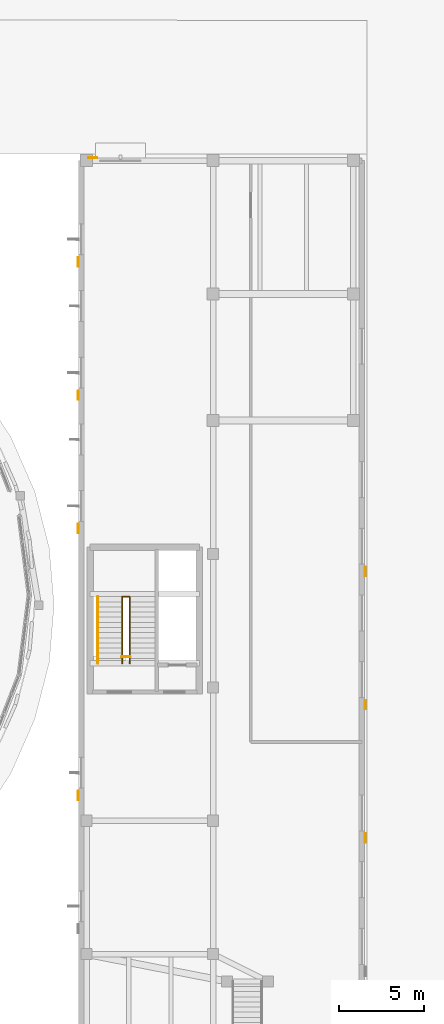
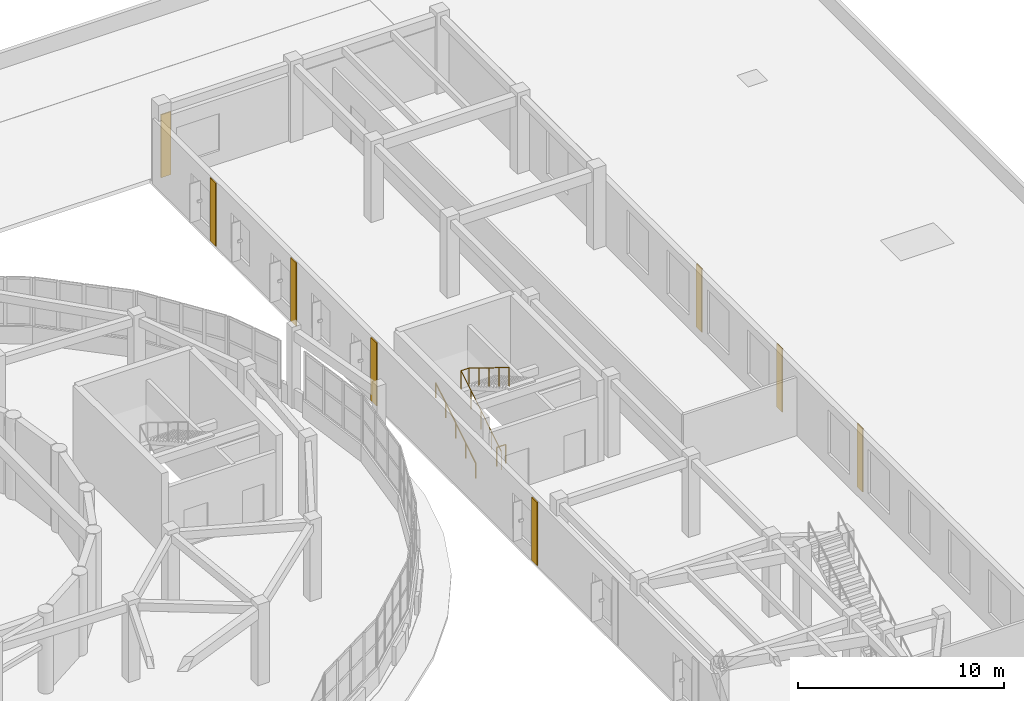
# One storey, part 105 of 105: 8 coverings, 3 railings.
"""IFC4 building model written with IfcOpenShell, lengths in metres."""

import ifcopenshell
import ifcopenshell.guid

model = None  # the IFC model being written
_history = None  # IfcOwnerHistory: only IFC2X3 demands one
_inside = {}  # id of a spatial element -> (the spatial element, [elements in it])
_under = {}  # id of a project, library or spatial element -> (it, [spatial elements below it])
_declared = {}  # id of a project -> (the project, [libraries it declares])
_typed = {}  # id of a type object -> (the type object, [elements of that type])
_made_of = {}  # id of a material, layer set ... -> (it, [elements and type objects made of it])


def new_model(schema):
    """Start an empty IFC model of exactly this schema.

    Asked for "IFC4X3", IfcOpenShell would pick the latest addendum, in which some entities
    have other attributes; the version numbers below select the first issue.
    IFC2X3 requires an IfcOwnerHistory on every rooted entity: one is made here for all.
    """
    global model, _history
    if schema == "IFC4X3":
        model = ifcopenshell.file(schema_version=(4, 3, 0, 0))
    else:
        model = ifcopenshell.file(schema=schema)
    _inside.clear()
    _under.clear()
    _declared.clear()
    _typed.clear()
    _made_of.clear()
    _history = None
    if model.schema == "IFC2X3":
        org = make("IfcOrganization", Name="unknown")
        user = make(
            "IfcPersonAndOrganization",
            ThePerson=make("IfcPerson", FamilyName="unknown"),
            TheOrganization=org,
        )
        app = make(
            "IfcApplication",
            ApplicationDeveloper=org,
            Version="unknown",
            ApplicationFullName="unknown",
            ApplicationIdentifier="unknown",
        )
        _history = make(
            "IfcOwnerHistory",
            OwningUser=user,
            OwningApplication=app,
            ChangeAction="ADDED",
            CreationDate=0,
        )
    return model


def make(cls, **values):
    """One entity of the class cls with the attributes given. An attribute that is None is left unset."""
    return model.create_entity(
        cls, **{name: value for name, value in values.items() if value is not None}
    )


def rooted(cls, **values):
    """An entity with a GlobalId (a new one), such as an element, a storey or a relation."""
    return make(cls, GlobalId=ifcopenshell.guid.new(), OwnerHistory=_history, **values)


def si_unit(unit_type, name, prefix=None):
    """IfcSIUnit, for example si_unit("LENGTHUNIT", "METRE", prefix="MILLI")."""
    return make("IfcSIUnit", UnitType=unit_type, Prefix=prefix, Name=name)


def assignment(units):
    """IfcUnitAssignment: the units of a project."""
    return None if units is None else make("IfcUnitAssignment", Units=units)


def point(xyz):
    """IfcCartesianPoint."""
    return None if xyz is None else make("IfcCartesianPoint", Coordinates=xyz)


def direction(xyz):
    """IfcDirection."""
    return None if xyz is None else make("IfcDirection", DirectionRatios=xyz)


def frame(location, z_axis=None, x_axis=None):
    """IfcAxis2Placement3D, a coordinate frame: its origin and axes. An axis left out is left unset."""
    return make(
        "IfcAxis2Placement3D",
        Location=point(location),
        Axis=direction(z_axis),
        RefDirection=direction(x_axis),
    )


def frame_2d(location, x_axis=None):
    """IfcAxis2Placement2D, a coordinate frame in the plane: its origin and x axis."""
    return make(
        "IfcAxis2Placement2D", Location=point(location), RefDirection=direction(x_axis)
    )


def origin():
    """The frame at (0, 0, 0) with its axes left unset."""
    return frame((0.0, 0.0, 0.0))


def origin_2d():
    """The frame at (0, 0) in the plane with its x axis left unset."""
    return frame_2d((0.0, 0.0))


def place(relative_to, where):
    """IfcLocalPlacement: puts the frame where relative to a parent placement (None: the world)."""
    return make(
        "IfcLocalPlacement", PlacementRelTo=relative_to, RelativePlacement=where
    )


def context(
    kind, dimensions, precision=None, world=None, true_north=None, identifier=None
):
    """IfcGeometricRepresentationContext, for example the 3D "Model" context."""
    return make(
        "IfcGeometricRepresentationContext",
        ContextIdentifier=identifier,
        ContextType=kind,
        CoordinateSpaceDimension=dimensions,
        Precision=precision,
        WorldCoordinateSystem=world,
        TrueNorth=true_north,
    )


def subcontext(parent, identifier, kind, view, scale=None):
    """IfcGeometricRepresentationSubContext, for example "Body" below "Model"."""
    return make(
        "IfcGeometricRepresentationSubContext",
        ContextIdentifier=identifier,
        ContextType=kind,
        ParentContext=parent,
        TargetScale=scale,
        TargetView=view,
    )


def project(units=None, contexts=None):
    """IfcProject with its units and contexts."""
    return rooted(
        "IfcProject",
        Name="project",
        RepresentationContexts=contexts,
        UnitsInContext=assignment(units),
    )


def spatial(cls, under=None, at=None, **own):
    """A site, building, storey or space (cls), placed at a placement, below another one or the project."""
    s = rooted(cls, ObjectPlacement=at, **own)
    if under is not None:
        _under.setdefault(under.id(), (under, []))[1].append(s)
    return s


def profile(cls, at=None, kind="AREA", **sizes):
    """A parametric profile (cls). Its sizes go by their IFC names, for example OverallWidth=200.0."""
    return make(cls, ProfileType=kind, Position=at, **sizes)


def rectangle(**sizes):
    """IfcRectangleProfileDef."""
    return profile("IfcRectangleProfileDef", **sizes)


def circle(**sizes):
    """IfcCircleProfileDef."""
    return profile("IfcCircleProfileDef", **sizes)


def extrude(swept, where, along, depth):
    """IfcExtrudedAreaSolid: the profile swept, set in the frame where, extruded along a direction by depth."""
    return make(
        "IfcExtrudedAreaSolid",
        SweptArea=swept,
        Position=where,
        ExtrudedDirection=direction(along),
        Depth=depth,
    )


def shape(context_of_items, identifier, shape_type, items):
    """IfcShapeRepresentation: the items that make up one representation, for example the "Body"."""
    return make(
        "IfcShapeRepresentation",
        ContextOfItems=context_of_items,
        RepresentationIdentifier=identifier,
        RepresentationType=shape_type,
        Items=items,
    )


def material(Name=None, Category=None):
    """IfcMaterial."""
    return make("IfcMaterial", Name=Name, Category=Category)


def layer(
    of_material, thickness, ventilated=None, Name=None, Category=None, Priority=None
):
    """IfcMaterialLayer: one layer of a wall or slab, of a material (None: an air gap)."""
    return make(
        "IfcMaterialLayer",
        Material=of_material,
        LayerThickness=thickness,
        IsVentilated=ventilated,
        Name=Name,
        Category=Category,
        Priority=Priority,
    )


def layer_set(layers, Name=None):
    """IfcMaterialLayerSet."""
    return make("IfcMaterialLayerSet", MaterialLayers=layers, LayerSetName=Name)


def made_of(thing, what):
    """Note that an element or type object is made of a material, layer set ...; save() writes the relation."""
    if what is not None:
        _made_of.setdefault(what.id(), (what, []))[1].append(thing)
    return thing


def type_object(cls, material=None, **own):
    """A type object (cls), such as IfcWallType, which elements share."""
    return made_of(rooted(cls, **own), material)


def element(
    cls,
    number,
    at=None,
    inside=None,
    cuts=None,
    type_object=None,
    material=None,
    context=None,
    identifier="Body",
    shape_type=None,
    held_by="IfcProductDefinitionShape",
    body=None,
    shapes=None,
    **own,
):
    """One element of the class cls, such as IfcWall. Its Tag is "e" and its number.

    at: its placement. inside: the storey or other place that contains it. cuts: it is an
    opening in that element (IfcRelVoidsElement). A single representation is given by context,
    identifier, shape_type and body (its items); several are given by shapes. held_by: the class
    of the entity that holds the representations. save() writes the other relations.
    """
    e = rooted(cls, Tag="e%d" % number, ObjectPlacement=at, **own)
    if body is not None:
        shapes = [shape(context, identifier, shape_type, body)]
    if shapes is not None:
        e.Representation = make(held_by, Representations=shapes)
    if inside is not None:
        _inside.setdefault(inside.id(), (inside, []))[1].append(e)
    if cuts is not None:
        rooted(
            "IfcRelVoidsElement", RelatingBuildingElement=cuts, RelatedOpeningElement=e
        )
    if type_object is not None:
        _typed.setdefault(type_object.id(), (type_object, []))[1].append(e)
    return made_of(e, material)


def aggregate(whole, parts):
    """IfcRelAggregates: a whole, such as a stair, and the parts it consists of."""
    return rooted("IfcRelAggregates", RelatingObject=whole, RelatedObjects=parts)


def save(model, path):
    """Write the relations noted so far, then the file.

    IfcRelAggregates (storeys below a building ...), IfcRelContainedInSpatialStructure (elements
    in a storey), IfcRelDefinesByType, IfcRelAssociatesMaterial and IfcRelDeclares: one each for
    every whole, place, type object, material and project.
    """
    for whole, parts in _under.values():
        aggregate(whole, parts)
    for where, things in _inside.values():
        rooted(
            "IfcRelContainedInSpatialStructure",
            RelatedElements=things,
            RelatingStructure=where,
        )
    for kind, things in _typed.values():
        rooted("IfcRelDefinesByType", RelatedObjects=things, RelatingType=kind)
    for what, things in _made_of.values():
        rooted("IfcRelAssociatesMaterial", RelatedObjects=things, RelatingMaterial=what)
    for by, libraries in _declared.values():
        rooted("IfcRelDeclares", RelatingContext=by, RelatedDefinitions=libraries)
    model.write(path)


model = new_model("IFC4")

# Units and contexts
model_context = context("Model", 3, precision=1e-05, world=origin(), true_north=direction((0.0, 1.0)))
body_context = subcontext(model_context, "Body", "Model", "MODEL_VIEW")
ifc_project = project(units=[si_unit("LENGTHUNIT", "METRE"), si_unit("AREAUNIT", "SQUARE_METRE"), si_unit("VOLUMEUNIT", "CUBIC_METRE"), si_unit("PLANEANGLEUNIT", "RADIAN"), si_unit("MASSUNIT", "GRAM", prefix="KILO")], contexts=[model_context])

# Site, building, storey
site_placement = place(None, origin())
site = spatial("IfcSite", under=ifc_project, at=site_placement, CompositionType="ELEMENT")
building_placement = place(site_placement, origin())
building = spatial("IfcBuilding", under=site, at=building_placement, Name="Pelvatis Terrace Science Centre", CompositionType="ELEMENT")
storey_placement = place(building_placement, frame((0.0, 0.0, 10.199951171875)))
storey = spatial("IfcBuildingStorey", under=building, at=storey_placement, Name="L02", CompositionType="ELEMENT", Elevation=10.199951171875)

# Coverings
ifc_material_1 = material(Name="Fluted warm stone-aggregate precast facade relief panel", Category="masonry")
ifc_layer = layer(ifc_material_1, 0.054931640625)
ifc_layer_set = layer_set([ifc_layer], Name="Fluted warm stone-aggregate precast facade relief panel")
covering_type = type_object("IfcCoveringType", Name="COV-CLAD-PREC-55", PredefinedType="CLADDING", material=ifc_layer_set)
for number, where, z_axis, x_axis, name in (
    (1, (157.08740234375, 69.179931640625, 0.06005859375), (0.0, 0.0, 1.0), (1.0, 0.0, 0.0), "Classical fluted stone pilaster strip 48"),
    (2, (157.08740234375, 76.97998046875, 0.06005859375), (0.0, 0.0, 1.0), (1.0, 0.0, 0.0), "Classical fluted stone pilaster strip 49"),
    (3, (157.08740234375, 84.780029296875, 0.06005859375), (0.0, 0.0, 1.0), (1.0, 0.0, 0.0), "Classical fluted stone pilaster strip 50"),
):
    element("IfcCovering", number, at=place(storey_placement, frame(where, z_axis=z_axis, x_axis=x_axis)), inside=storey, type_object=covering_type, Name=name, PredefinedType="CLADDING", context=body_context, shape_type="SweptSolid", body=[
        extrude(rectangle(XDim=0.054931640625, YDim=0.550048828125, at=origin_2d()), origin(), (0.0, 0.0, 1.0), 3.739990234375),
    ])
covering_placement = place(storey_placement, frame((141.159912109375, 108.97998046875, 0.06005859375), z_axis=(0.0, 0.0, 1.0), x_axis=(1.0, 0.0, 0.0)))
element("IfcCovering", 4, at=covering_placement, inside=storey, type_object=covering_type, Name="Classical fluted stone pilaster strip 51", PredefinedType="CLADDING", context=body_context, shape_type="SweptSolid", body=[
    extrude(rectangle(XDim=0.550048828125, YDim=0.054931640625, at=origin_2d()), origin(), (0.0, 0.0, 1.0), 3.739990234375),
])
for number, where, z_axis, x_axis, name in (
    (5, (140.300048828125, 71.679931640625, 0.06005859375), (0.0, 0.0, 1.0), (1.0, 0.0, 0.0), "Classical fluted stone pilaster strip 55"),
    (6, (140.300048828125, 87.280029296875, 0.06005859375), (0.0, 0.0, 1.0), (1.0, 0.0, 0.0), "Classical fluted stone pilaster strip 56"),
    (7, (140.300048828125, 95.080078125, 0.06005859375), (0.0, 0.0, 1.0), (1.0, 0.0, 0.0), "Classical fluted stone pilaster strip 57"),
    (8, (140.300048828125, 102.8798828125, 0.06005859375), (0.0, 0.0, 1.0), (1.0, 0.0, 0.0), "Classical fluted stone pilaster strip 58"),
):
    element("IfcCovering", number, at=place(storey_placement, frame(where, z_axis=z_axis, x_axis=x_axis)), inside=storey, type_object=covering_type, Name=name, PredefinedType="CLADDING", context=body_context, shape_type="SweptSolid", body=[
        extrude(rectangle(XDim=0.054931640625, YDim=0.550048828125, at=origin_2d()), origin(), (0.0, 0.0, 1.0), 3.739990234375),
    ])

# Railings
ifc_material_2 = material(Name="Brushed architectural bronze tubular railing", Category="steel")
railing_type_1 = type_object("IfcRailingType", Name="RLG-GRD-1120", PredefinedType="GUARDRAIL", material=ifc_material_2)
railing_1_placement = place(storey_placement, frame((142.8798828125, 79.39990234375, 0.0)))
element("IfcRailing", 9, at=railing_1_placement, inside=storey, type_object=railing_type_1, Name="Stair ST-03-L02 inner well guardrail", PredefinedType="GUARDRAIL", context=body_context, shape_type="SweptSolid", body=[
    extrude(circle(Radius=0.02392578125, at=origin_2d()), frame((0.0, 0.0, 1.09619140625), z_axis=(0.0, 0.851652825334, 0.524106349037), x_axis=(-1.0, 0.0, 0.0)), (0.0, 0.0, 1.0), 4.57958984375),
    extrude(circle(Radius=0.02392578125, at=origin_2d()), frame((0.0, 3.900146484375, 3.49609375), z_axis=(1.0, 0.0, 0.0), x_axis=(0.0, 1.0, 0.0)), (0.0, 0.0, 1.0), 0.440185546875),
    extrude(circle(Radius=0.02392578125, at=origin_2d()), frame((0.440185546875, 3.900146484375, 3.49609375), z_axis=(0.0, -0.851676621109, 0.524067679844), x_axis=(1.0, 0.0, 0.0)), (0.0, 0.0, 1.0), 4.579345703125),
    extrude(circle(Radius=0.02099609375, at=origin_2d()), origin(), (0.0, 0.0, 1.0), 1.072021484375),
    extrude(circle(Radius=0.02099609375, at=origin_2d()), frame((0.0, 0.97509765625, 0.60009765625)), (0.0, 0.0, 1.0), 1.072021484375),
    extrude(circle(Radius=0.02099609375, at=origin_2d()), frame((0.0, 1.9501953125, 1.2001953125)), (0.0, 0.0, 1.0), 1.072021484375),
    extrude(circle(Radius=0.02099609375, at=origin_2d()), frame((0.0, 2.925048828125, 1.800048828125)), (0.0, 0.0, 1.0), 1.072021484375),
    extrude(circle(Radius=0.02099609375, at=origin_2d()), frame((0.0, 3.900146484375, 2.400146484375)), (0.0, 0.0, 1.0), 1.072021484375),
    extrude(circle(Radius=0.02099609375, at=origin_2d()), frame((0.440185546875, 3.900146484375, 2.400146484375)), (0.0, 0.0, 1.0), 1.072021484375),
    extrude(circle(Radius=0.02099609375, at=origin_2d()), frame((0.440185546875, 2.925048828125, 3.0)), (0.0, 0.0, 1.0), 1.072021484375),
    extrude(circle(Radius=0.02099609375, at=origin_2d()), frame((0.440185546875, 1.9501953125, 3.60009765625)), (0.0, 0.0, 1.0), 1.072021484375),
    extrude(circle(Radius=0.02099609375, at=origin_2d()), frame((0.440185546875, 0.97509765625, 4.2001953125)), (0.0, 0.0, 1.0), 1.072021484375),
    extrude(circle(Radius=0.02099609375, at=origin_2d()), frame((0.440185546875, 0.0, 4.800048828125)), (0.0, 0.0, 1.0), 1.072021484375),
])
railing_2_placement = place(storey_placement, frame((142.85009765625, 79.780029296875, 0.0)))
element("IfcRailing", 10, at=railing_2_placement, inside=storey, type_object=railing_type_1, Name="Core C3 landing well slot guard (L02)", PredefinedType="GUARDRAIL", context=body_context, shape_type="SweptSolid", body=[
    extrude(circle(Radius=0.02392578125, at=origin_2d()), frame((0.0, 0.0, 1.09619140625), z_axis=(1.0, 0.0, 0.0), x_axis=(0.0, 1.0, 0.0)), (0.0, 0.0, 1.0), 0.5),
    extrude(circle(Radius=0.02099609375, at=origin_2d()), origin(), (0.0, 0.0, 1.0), 1.072021484375),
    extrude(circle(Radius=0.02099609375, at=origin_2d()), frame((0.5, 0.0, 0.0)), (0.0, 0.0, 1.0), 1.072021484375),
])
ifc_material_3 = material(Name="Brushed architectural bronze tubular railing", Category="steel")
railing_type_2 = type_object("IfcRailingType", Name="RLG-HND-0900", PredefinedType="HANDRAIL", material=ifc_material_3)
railing_3_placement = place(storey_placement, frame((141.4599609375, 79.39990234375, 0.0)))
element("IfcRailing", 11, at=railing_3_placement, inside=storey, type_object=railing_type_2, Name="Stair ST-03-L02 wall handrail", PredefinedType="HANDRAIL", context=body_context, shape_type="SweptSolid", body=[
    extrude(circle(Radius=0.02392578125, at=origin_2d()), frame((0.0, 0.0, 0.8759765625), z_axis=(0.0, 0.851652825334, 0.524106349037), x_axis=(-1.0, 0.0, 0.0)), (0.0, 0.0, 1.0), 4.57958984375),
    extrude(circle(Radius=0.02099609375, at=origin_2d()), origin(), (0.0, 0.0, 1.0), 0.851806640625),
    extrude(circle(Radius=0.02099609375, at=origin_2d()), frame((0.0, 0.97509765625, 0.60009765625)), (0.0, 0.0, 1.0), 0.851806640625),
    extrude(circle(Radius=0.02099609375, at=origin_2d()), frame((0.0, 1.9501953125, 1.2001953125)), (0.0, 0.0, 1.0), 0.851806640625),
    extrude(circle(Radius=0.02099609375, at=origin_2d()), frame((0.0, 2.925048828125, 1.800048828125)), (0.0, 0.0, 1.0), 0.851806640625),
    extrude(circle(Radius=0.02099609375, at=origin_2d()), frame((0.0, 3.900146484375, 2.400146484375)), (0.0, 0.0, 1.0), 0.851806640625),
])

save(model, "model.ifc")
